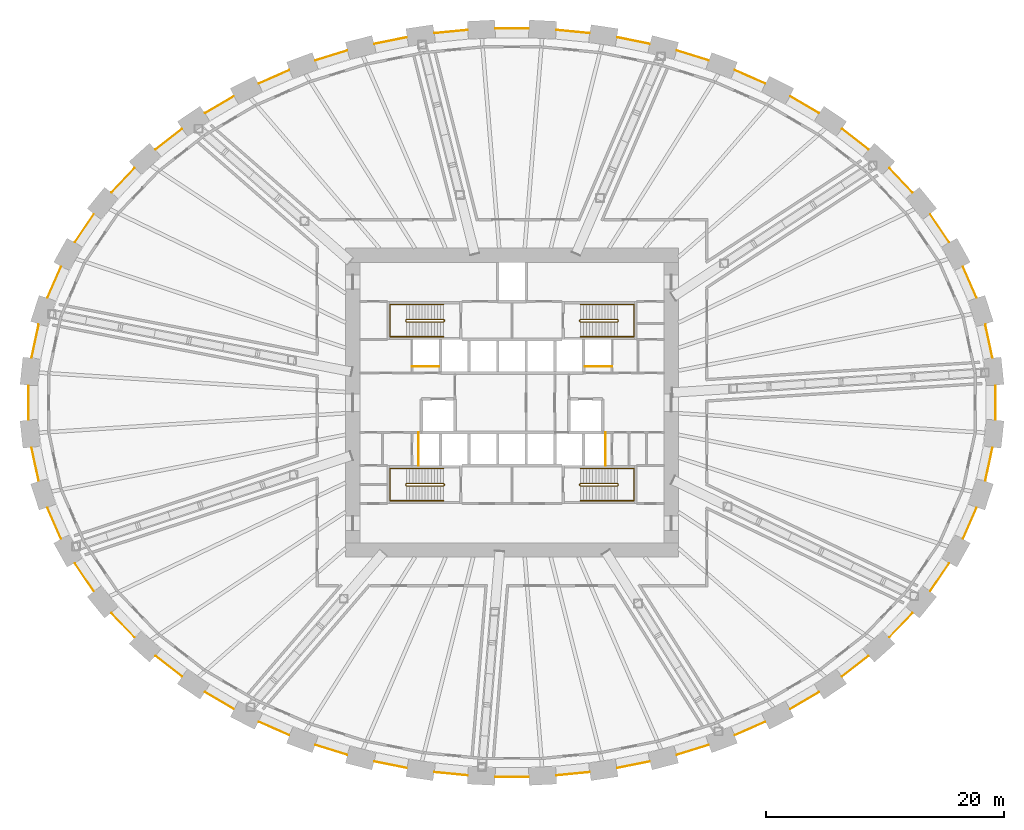
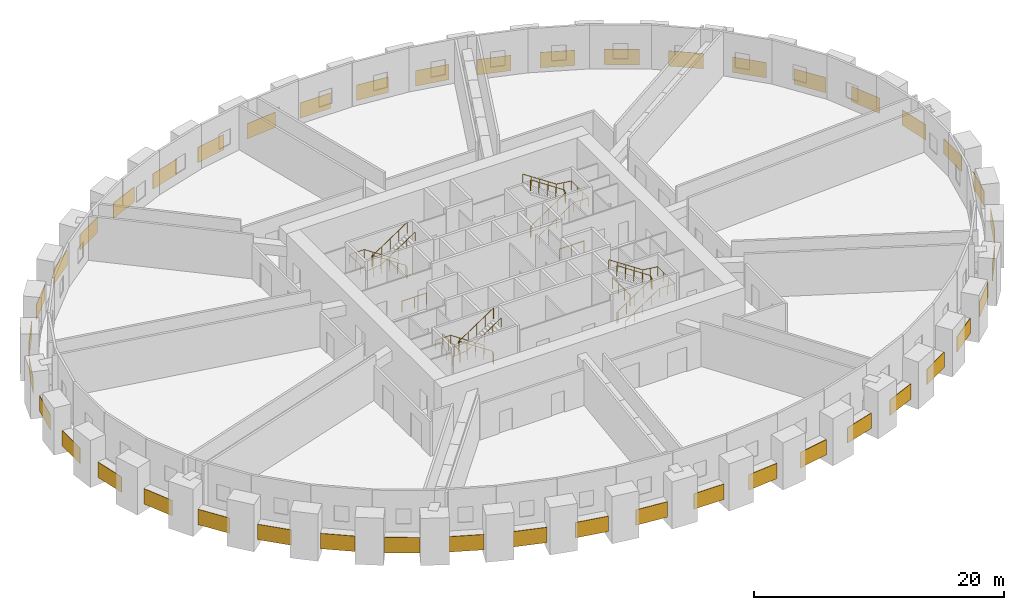
# One storey, part 14 of 14: 44 coverings, 12 railings.
"""IFC4 building model written with IfcOpenShell, lengths in metres."""

from ifc_helpers import new_model, si_unit, direction, frame, origin, origin_2d, place, context, subcontext, project, spatial, rectangle, circle, extrude, source, transform, mapped, material, layer, layer_set, type_object, element, save


model = new_model("IFC4")

# Units and contexts
model_context = context("Model", 3, precision=1e-05, world=origin(), true_north=direction((0.0, 1.0)))
body_context = subcontext(model_context, "Body", "Model", "MODEL_VIEW")
ifc_project = project(units=[si_unit("LENGTHUNIT", "METRE"), si_unit("AREAUNIT", "SQUARE_METRE"), si_unit("VOLUMEUNIT", "CUBIC_METRE"), si_unit("PLANEANGLEUNIT", "RADIAN"), si_unit("MASSUNIT", "GRAM", prefix="KILO")], contexts=[model_context])

# Site, building, storey
site_placement = place(None, origin())
site = spatial("IfcSite", under=ifc_project, at=site_placement, CompositionType="ELEMENT")
building_placement = place(site_placement, origin())
building = spatial("IfcBuilding", under=site, at=building_placement, Name="Embergate Tower", CompositionType="ELEMENT")
storey_placement = place(building_placement, frame((0.0, 0.0, 101.0)))
storey = spatial("IfcBuildingStorey", under=building, at=storey_placement, Name="L21", CompositionType="ELEMENT", Elevation=101.0)

# Coverings
ifc_material_1 = material(Name="Terracotta rainscreen on insulated backing", Category="masonry")
ifc_layer = layer(ifc_material_1, 0.0400390625)
ifc_layer_set = layer_set([ifc_layer], Name="Terracotta rainscreen on insulated backing")
covering_type = type_object("IfcCoveringType", Name="Terracotta rainscreen band", PredefinedType="CLADDING", material=ifc_layer_set)
shared_shape_1 = source(origin(), body_context, "Body", "SweptSolid", [
    extrude(rectangle(XDim=2.845703125, YDim=0.0400390625, at=origin_2d()), origin(), (0.0, 0.0, 1.0), 1.5),
])
for number, where, z_axis, x_axis, name in (
    (1, (40.11962890625, 5.18505859375, -0.75), (0.0, 0.0, 1.0), (-0.210488822127, 0.977596264191, 0.0), "Rainscreen band 1"),
    (2, (-40.11962890625, 5.18505859375, -0.75), (0.0, 0.0, 1.0), (-0.210488822127, -0.977596264191, 0.0), "Rainscreen band 21"),
    (3, (-40.11962890625, -5.18505859375, -0.75), (0.0, 0.0, 1.0), (0.210488822127, -0.977596264191, 0.0), "Rainscreen band 23"),
    (4, (40.11962890625, -5.18505859375, -0.75), (0.0, 0.0, 1.0), (0.210488822127, 0.977596264191, 0.0), "Rainscreen band 43"),
):
    element("IfcCovering", number, at=place(storey_placement, frame(where, z_axis=z_axis, x_axis=x_axis)), inside=storey, type_object=covering_type, Name=name, PredefinedType="CLADDING", context=body_context, shape_type="MappedRepresentation", body=[
        mapped(shared_shape_1, transform((0.0, 0.0, 0.0))),
    ])
shared_shape_2 = source(origin(), body_context, "Body", "SweptSolid", [
    extrude(rectangle(XDim=2.84130859375, YDim=0.0400390625, at=origin_2d()), origin(), (0.0, 0.0, 1.0), 1.5),
])
for number, where, z_axis, x_axis, name in (
    (5, (38.518310546875, 10.140625, -0.75), (0.0, 0.0, 1.0), (-0.401594559435, 0.915817563618, 0.0), "Rainscreen band 2"),
    (6, (-38.518310546875, 10.140625, -0.75), (0.0, 0.0, 1.0), (-0.401594559435, -0.915817563618, 0.0), "Rainscreen band 20"),
    (7, (-38.518310546875, -10.140625, -0.75), (0.0, 0.0, 1.0), (0.401594559435, -0.915817563618, 0.0), "Rainscreen band 24"),
    (8, (38.518310546875, -10.140625, -0.75), (0.0, 0.0, 1.0), (0.401594559435, 0.915817563618, 0.0), "Rainscreen band 42"),
):
    element("IfcCovering", number, at=place(storey_placement, frame(where, z_axis=z_axis, x_axis=x_axis)), inside=storey, type_object=covering_type, Name=name, PredefinedType="CLADDING", context=body_context, shape_type="MappedRepresentation", body=[
        mapped(shared_shape_2, transform((0.0, 0.0, 0.0))),
    ])
shared_shape_3 = source(origin(), body_context, "Body", "SweptSolid", [
    extrude(rectangle(XDim=2.831787109375, YDim=0.0400390625, at=origin_2d()), origin(), (0.0, 0.0, 1.0), 1.5),
])
for number, where, z_axis, x_axis, name in (
    (9, (35.985595703125, 14.67919921875, -0.75), (0.0, 0.0, 1.0), (-0.562174316713, 0.82701876498, 0.0), "Rainscreen band 3"),
    (10, (-35.985595703125, 14.67919921875, -0.75), (0.0, 0.0, 1.0), (-0.562174316713, -0.82701876498, 0.0), "Rainscreen band 19"),
    (11, (-35.985595703125, -14.67919921875, -0.75), (0.0, 0.0, 1.0), (0.562174316713, -0.82701876498, 0.0), "Rainscreen band 25"),
    (12, (35.985595703125, -14.67919921875, -0.75), (0.0, 0.0, 1.0), (0.562174316713, 0.82701876498, 0.0), "Rainscreen band 41"),
):
    element("IfcCovering", number, at=place(storey_placement, frame(where, z_axis=z_axis, x_axis=x_axis)), inside=storey, type_object=covering_type, Name=name, PredefinedType="CLADDING", context=body_context, shape_type="MappedRepresentation", body=[
        mapped(shared_shape_3, transform((0.0, 0.0, 0.0))),
    ])
shared_shape_4 = source(origin(), body_context, "Body", "SweptSolid", [
    extrude(rectangle(XDim=2.826416015625, YDim=0.0400390625, at=origin_2d()), origin(), (0.0, 0.0, 1.0), 1.5),
])
for number, where, z_axis, x_axis, name in (
    (13, (32.728271484375, 18.712158203125, -0.75), (0.0, 0.0, 1.0), (-0.690281548449, 0.723540865377, 0.0), "Rainscreen band 4"),
    (14, (-32.728271484375, 18.712158203125, -0.75), (0.0, 0.0, 1.0), (-0.690281548449, -0.723540865377, 0.0), "Rainscreen band 18"),
    (15, (-32.728271484375, -18.712158203125, -0.75), (0.0, 0.0, 1.0), (0.690281548449, -0.723540865377, 0.0), "Rainscreen band 26"),
    (16, (32.728271484375, -18.712158203125, -0.75), (0.0, 0.0, 1.0), (0.690281548449, 0.723540865377, 0.0), "Rainscreen band 40"),
):
    element("IfcCovering", number, at=place(storey_placement, frame(where, z_axis=z_axis, x_axis=x_axis)), inside=storey, type_object=covering_type, Name=name, PredefinedType="CLADDING", context=body_context, shape_type="MappedRepresentation", body=[
        mapped(shared_shape_4, transform((0.0, 0.0, 0.0))),
    ])
shared_shape_5 = source(origin(), body_context, "Body", "SweptSolid", [
    extrude(rectangle(XDim=2.817138671875, YDim=0.0400390625, at=origin_2d()), origin(), (0.0, 0.0, 1.0), 1.5),
])
for number, where, z_axis, x_axis, name in (
    (17, (28.881591796875, 22.1689453125, -0.75), (0.0, 0.0, 1.0), (-0.788395282208, 0.615168984095, 0.0), "Rainscreen band 5"),
    (18, (-28.881591796875, 22.1689453125, -0.75), (0.0, 0.0, 1.0), (-0.788395282208, -0.615168984095, 0.0), "Rainscreen band 17"),
    (19, (-28.881591796875, -22.1689453125, -0.75), (0.0, 0.0, 1.0), (0.788395282208, -0.615168984095, 0.0), "Rainscreen band 27"),
    (20, (28.881591796875, -22.1689453125, -0.75), (0.0, 0.0, 1.0), (0.788395282208, 0.615168984095, 0.0), "Rainscreen band 39"),
):
    element("IfcCovering", number, at=place(storey_placement, frame(where, z_axis=z_axis, x_axis=x_axis)), inside=storey, type_object=covering_type, Name=name, PredefinedType="CLADDING", context=body_context, shape_type="MappedRepresentation", body=[
        mapped(shared_shape_5, transform((0.0, 0.0, 0.0))),
    ])
shared_shape_6 = source(origin(), body_context, "Body", "SweptSolid", [
    extrude(rectangle(XDim=2.813232421875, YDim=0.0400390625, at=origin_2d()), origin(), (0.0, 0.0, 1.0), 1.5),
])
for number, where, z_axis, x_axis, name in (
    (21, (24.61376953125, 25.070556640625, -0.75), (0.0, 0.0, 1.0), (-0.862007166932, 0.506896088126, 0.0), "Rainscreen band 6"),
    (22, (-24.61376953125, 25.070556640625, -0.75), (0.0, 0.0, 1.0), (-0.862007166932, -0.506896088126, 0.0), "Rainscreen band 16"),
    (23, (-24.61376953125, -25.070556640625, -0.75), (0.0, 0.0, 1.0), (0.862007166932, -0.506896088126, 0.0), "Rainscreen band 28"),
    (24, (24.61376953125, -25.070556640625, -0.75), (0.0, 0.0, 1.0), (0.862007166932, 0.506896088126, 0.0), "Rainscreen band 38"),
):
    element("IfcCovering", number, at=place(storey_placement, frame(where, z_axis=z_axis, x_axis=x_axis)), inside=storey, type_object=covering_type, Name=name, PredefinedType="CLADDING", context=body_context, shape_type="MappedRepresentation", body=[
        mapped(shared_shape_6, transform((0.0, 0.0, 0.0))),
    ])
shared_shape_7 = source(origin(), body_context, "Body", "SweptSolid", [
    extrude(rectangle(XDim=2.809814453125, YDim=0.0400390625, at=origin_2d()), origin(), (0.0, 0.0, 1.0), 1.5),
])
for number, where, z_axis, x_axis, name in (
    (25, (20.0234375, 27.413330078125, -0.75), (0.0, 0.0, 1.0), (-0.916043113524, 0.401079810218, 0.0), "Rainscreen band 7"),
    (26, (-20.0234375, 27.413330078125, -0.75), (0.0, 0.0, 1.0), (-0.916043113524, -0.401079810218, 0.0), "Rainscreen band 15"),
    (27, (-20.0234375, -27.413330078125, -0.75), (0.0, 0.0, 1.0), (0.916043113524, -0.401079810218, 0.0), "Rainscreen band 29"),
    (28, (20.0234375, -27.413330078125, -0.75), (0.0, 0.0, 1.0), (0.916043113524, 0.401079810218, 0.0), "Rainscreen band 37"),
):
    element("IfcCovering", number, at=place(storey_placement, frame(where, z_axis=z_axis, x_axis=x_axis)), inside=storey, type_object=covering_type, Name=name, PredefinedType="CLADDING", context=body_context, shape_type="MappedRepresentation", body=[
        mapped(shared_shape_7, transform((0.0, 0.0, 0.0))),
    ])
shared_shape_8 = source(origin(), body_context, "Body", "SweptSolid", [
    extrude(rectangle(XDim=2.806884765625, YDim=0.0400390625, at=origin_2d()), origin(), (0.0, 0.0, 1.0), 1.5),
])
for number, where, z_axis, x_axis, name in (
    (29, (15.200439453125, 29.212158203125, -0.75), (0.0, 0.0, 1.0), (-0.954834470603, 0.29713824013, 0.0), "Rainscreen band 8"),
    (30, (-15.200439453125, 29.212158203125, -0.75), (0.0, 0.0, 1.0), (-0.954834470603, -0.29713824013, 0.0), "Rainscreen band 14"),
    (31, (-15.200439453125, -29.212158203125, -0.75), (0.0, 0.0, 1.0), (0.954834470603, -0.29713824013, 0.0), "Rainscreen band 30"),
    (32, (15.200439453125, -29.212158203125, -0.75), (0.0, 0.0, 1.0), (0.954834470603, 0.29713824013, 0.0), "Rainscreen band 36"),
):
    element("IfcCovering", number, at=place(storey_placement, frame(where, z_axis=z_axis, x_axis=x_axis)), inside=storey, type_object=covering_type, Name=name, PredefinedType="CLADDING", context=body_context, shape_type="MappedRepresentation", body=[
        mapped(shared_shape_8, transform((0.0, 0.0, 0.0))),
    ])
shared_shape_9 = source(origin(), body_context, "Body", "SweptSolid", [
    extrude(rectangle(XDim=2.802734375, YDim=0.0400390625, at=origin_2d()), origin(), (0.0, 0.0, 1.0), 1.5),
])
for number, where, z_axis, x_axis, name in (
    (33, (10.213623046875, 30.46484375, -0.75), (0.0, 0.0, 1.0), (-0.980484486482, 0.19659646937, 0.0), "Rainscreen band 9"),
    (34, (-10.213623046875, 30.46484375, -0.75), (0.0, 0.0, 1.0), (-0.980484486482, -0.19659646937, 0.0), "Rainscreen band 13"),
    (35, (-10.213623046875, -30.46484375, -0.75), (0.0, 0.0, 1.0), (0.980484486482, -0.19659646937, 0.0), "Rainscreen band 31"),
    (36, (10.213623046875, -30.46484375, -0.75), (0.0, 0.0, 1.0), (0.980484486482, 0.19659646937, 0.0), "Rainscreen band 35"),
):
    element("IfcCovering", number, at=place(storey_placement, frame(where, z_axis=z_axis, x_axis=x_axis)), inside=storey, type_object=covering_type, Name=name, PredefinedType="CLADDING", context=body_context, shape_type="MappedRepresentation", body=[
        mapped(shared_shape_9, transform((0.0, 0.0, 0.0))),
    ])
shared_shape_10 = source(origin(), body_context, "Body", "SweptSolid", [
    extrude(rectangle(XDim=2.801513671875, YDim=0.0400390625, at=origin_2d()), origin(), (0.0, 0.0, 1.0), 1.5),
])
for number, where, z_axis, x_axis, name in (
    (37, (5.131591796875, 31.22216796875, -0.75), (0.0, 0.0, 1.0), (-0.995205404214, 0.097806970219, 0.0), "Rainscreen band 10"),
    (38, (-5.131591796875, 31.22216796875, -0.75), (0.0, 0.0, 1.0), (-0.995205404214, -0.097806970219, 0.0), "Rainscreen band 12"),
    (39, (-5.131591796875, -31.22216796875, -0.75), (0.0, 0.0, 1.0), (0.995205404214, -0.097806970219, 0.0), "Rainscreen band 32"),
    (40, (5.131591796875, -31.22216796875, -0.75), (0.0, 0.0, 1.0), (0.995205404214, 0.097806970219, 0.0), "Rainscreen band 34"),
):
    element("IfcCovering", number, at=place(storey_placement, frame(where, z_axis=z_axis, x_axis=x_axis)), inside=storey, type_object=covering_type, Name=name, PredefinedType="CLADDING", context=body_context, shape_type="MappedRepresentation", body=[
        mapped(shared_shape_10, transform((0.0, 0.0, 0.0))),
    ])
shared_shape_11 = source(origin(), body_context, "Body", "SweptSolid", [
    extrude(rectangle(XDim=2.802001953125, YDim=0.0400390625, at=origin_2d()), origin(), (0.0, 0.0, 1.0), 1.5),
])
for number, where, z_axis, x_axis, name in (
    (41, (0.0, 31.47412109375, -0.75), (0.0, 0.0, 1.0), (-1.0, 0.0, 0.0), "Rainscreen band 11"),
    (42, (0.0, -31.47412109375, -0.75), (0.0, 0.0, 1.0), (1.0, 0.0, 0.0), "Rainscreen band 33"),
):
    element("IfcCovering", number, at=place(storey_placement, frame(where, z_axis=z_axis, x_axis=x_axis)), inside=storey, type_object=covering_type, Name=name, PredefinedType="CLADDING", context=body_context, shape_type="MappedRepresentation", body=[
        mapped(shared_shape_11, transform((0.0, 0.0, 0.0))),
    ])
shared_shape_12 = source(origin(), body_context, "Body", "SweptSolid", [
    extrude(rectangle(XDim=2.85205078125, YDim=0.0400390625, at=origin_2d()), origin(), (0.0, 0.0, 1.0), 1.5),
])
for number, where, z_axis, x_axis, name in (
    (43, (-40.69091796875, 0.0, -0.75), (0.0, 0.0, 1.0), (0.0, -1.0, 0.0), "Rainscreen band 22"),
    (44, (40.69091796875, 0.0, -0.75), (0.0, 0.0, 1.0), (0.0, 1.0, 0.0), "Rainscreen band 44"),
):
    element("IfcCovering", number, at=place(storey_placement, frame(where, z_axis=z_axis, x_axis=x_axis)), inside=storey, type_object=covering_type, Name=name, PredefinedType="CLADDING", context=body_context, shape_type="MappedRepresentation", body=[
        mapped(shared_shape_12, transform((0.0, 0.0, 0.0))),
    ])

# Railings
ifc_material_2 = material(Name="Stair guard 1100")
railing_type_1 = type_object("IfcRailingType", Name="Stair guard 1100", PredefinedType="GUARDRAIL", material=ifc_material_2)
shared_shape_13 = source(origin(), body_context, "Body", "SweptSolid", [
    extrude(circle(Radius=0.02392578125, at=origin_2d()), frame((0.0, 0.0, 1.076171875), z_axis=(0.0, 1.0, 0.0), x_axis=(-1.0, 0.0, 0.0)), (0.0, 0.0, 1.0), 0.099853515625),
    extrude(circle(Radius=0.02392578125, at=origin_2d()), frame((0.0, 0.099853515625, 1.076171875), z_axis=(-0.267629722418, 0.267629722418, 0.925607186314), x_axis=(-0.707106781187, -0.707106781187, 0.0)), (0.0, 0.0, 1.0), 0.18701171875),
    extrude(circle(Radius=0.02392578125, at=origin_2d()), frame((-0.050048828125, 0.14990234375, 1.2490234375), z_axis=(-0.83244090515, 0.0, 0.554113832559), x_axis=(0.0, -1.0, 0.0)), (0.0, 0.0, 1.0), 3.748046875),
    extrude(circle(Radius=0.02392578125, at=origin_2d()), frame((-3.170166015625, 0.14990234375, 3.326171875), z_axis=(-0.705375805398, -0.708833529934, 0.0), x_axis=(0.708833529934, -0.705375805398, 0.0)), (0.0, 0.0, 1.0), 0.070556640625),
    extrude(circle(Radius=0.02392578125, at=origin_2d()), frame((-3.219970703125, 0.099853515625, 3.326171875), z_axis=(0.0, -1.0, 0.0), x_axis=(1.0, 0.0, 0.0)), (0.0, 0.0, 1.0), 0.099853515625),
    extrude(circle(Radius=0.02392578125, at=origin_2d()), frame((-3.219970703125, 0.0, 3.326171875), z_axis=(0.266417085129, -0.267723051232, 0.925929967433), x_axis=(0.708833529934, 0.705375805398, 0.0)), (0.0, 0.0, 1.0), 0.18701171875),
    extrude(circle(Radius=0.02392578125, at=origin_2d()), frame((-3.170166015625, -0.050048828125, 3.4990234375), z_axis=(0.83244090515, 0.0, 0.554113832559), x_axis=(0.0, 1.0, 0.0)), (0.0, 0.0, 1.0), 3.748046875),
    extrude(circle(Radius=0.02099609375, at=origin_2d()), origin(), (0.0, 0.0, 1.0), 1.052001953125),
    extrude(circle(Radius=0.02099609375, at=origin_2d()), frame((0.0, 0.099853515625, 0.0)), (0.0, 0.0, 1.0), 1.052001953125),
    extrude(circle(Radius=0.02099609375, at=origin_2d()), frame((-0.050048828125, 0.14990234375, 0.173095703125)), (0.0, 0.0, 1.0), 1.052001953125),
    extrude(circle(Radius=0.02099609375, at=origin_2d()), frame((-0.830078125, 0.14990234375, 0.6923828125)), (0.0, 0.0, 1.0), 1.052001953125),
    extrude(circle(Radius=0.02099609375, at=origin_2d()), frame((-1.610107421875, 0.14990234375, 1.21142578125)), (0.0, 0.0, 1.0), 1.052001953125),
    extrude(circle(Radius=0.02099609375, at=origin_2d()), frame((-2.39013671875, 0.14990234375, 1.730712890625)), (0.0, 0.0, 1.0), 1.052001953125),
    extrude(circle(Radius=0.02099609375, at=origin_2d()), frame((-3.170166015625, 0.14990234375, 2.25)), (0.0, 0.0, 1.0), 1.052001953125),
    extrude(circle(Radius=0.02099609375, at=origin_2d()), frame((-3.219970703125, 0.099853515625, 2.25)), (0.0, 0.0, 1.0), 1.052001953125),
    extrude(circle(Radius=0.02099609375, at=origin_2d()), frame((-3.219970703125, 0.0, 2.25)), (0.0, 0.0, 1.0), 1.052001953125),
    extrude(circle(Radius=0.02099609375, at=origin_2d()), frame((-3.170166015625, -0.050048828125, 2.423095703125)), (0.0, 0.0, 1.0), 1.052001953125),
    extrude(circle(Radius=0.02099609375, at=origin_2d()), frame((-2.39013671875, -0.050048828125, 2.9423828125)), (0.0, 0.0, 1.0), 1.052001953125),
    extrude(circle(Radius=0.02099609375, at=origin_2d()), frame((-1.610107421875, -0.050048828125, 3.46142578125)), (0.0, 0.0, 1.0), 1.052001953125),
    extrude(circle(Radius=0.02099609375, at=origin_2d()), frame((-0.830078125, -0.050048828125, 3.980712890625)), (0.0, 0.0, 1.0), 1.052001953125),
    extrude(circle(Radius=0.02099609375, at=origin_2d()), frame((-0.050048828125, -0.050048828125, 4.5)), (0.0, 0.0, 1.0), 1.052001953125),
])
for number, where, name in (
    (45, (-5.699951171875, 6.85009765625, 0.0), "L21 ST1 stair guard 1"),
    (46, (-5.699951171875, -6.949951171875, 0.0), "L21 ST3 stair guard 1"),
):
    element("IfcRailing", number, at=place(storey_placement, frame(where)), inside=storey, type_object=railing_type_1, Name=name, PredefinedType="GUARDRAIL", context=body_context, shape_type="MappedRepresentation", body=[
        mapped(shared_shape_13, transform((0.0, 0.0, 0.0))),
    ])
ifc_material_3 = material(Name="Stair handrail 900")
railing_type_2 = type_object("IfcRailingType", Name="Stair handrail 900", PredefinedType="HANDRAIL", material=ifc_material_3)
shared_shape_14 = source(origin(), body_context, "Body", "SweptSolid", [
    extrude(circle(Radius=0.02392578125, at=origin_2d()), frame((0.0, 0.0, 0.8759765625), z_axis=(-0.83244090515, 0.0, 0.554113832559), x_axis=(0.0, -1.0, 0.0)), (0.0, 0.0, 1.0), 3.748046875),
    extrude(circle(Radius=0.02392578125, at=origin_2d()), frame((-3.1201171875, 0.0, 2.95263671875), z_axis=(-1.0, 0.0, 0.0), x_axis=(0.0, -1.0, 0.0)), (0.0, 0.0, 1.0), 1.3798828125),
    extrude(circle(Radius=0.02392578125, at=origin_2d()), frame((-4.5, 0.0, 2.95263671875), z_axis=(0.0, -1.0, 0.0), x_axis=(1.0, 0.0, 0.0)), (0.0, 0.0, 1.0), 2.699951171875),
    extrude(circle(Radius=0.02392578125, at=origin_2d()), frame((-4.5, -2.699951171875, 2.95263671875), z_axis=(0.992223766409, 0.0, 0.12446685251), x_axis=(0.0, 1.0, 0.0)), (0.0, 0.0, 1.0), 1.390625),
    extrude(circle(Radius=0.02392578125, at=origin_2d()), frame((-3.1201171875, -2.699951171875, 3.1259765625), z_axis=(0.83244090515, 0.0, 0.554113832559), x_axis=(0.0, 1.0, 0.0)), (0.0, 0.0, 1.0), 3.748046875),
    extrude(circle(Radius=0.02099609375, at=origin_2d()), origin(), (0.0, 0.0, 1.0), 0.851806640625),
    extrude(circle(Radius=0.02099609375, at=origin_2d()), frame((-0.780029296875, 0.0, 0.519287109375)), (0.0, 0.0, 1.0), 0.851806640625),
    extrude(circle(Radius=0.02099609375, at=origin_2d()), frame((-1.56005859375, 0.0, 1.03857421875)), (0.0, 0.0, 1.0), 0.851806640625),
    extrude(circle(Radius=0.02099609375, at=origin_2d()), frame((-2.340087890625, 0.0, 1.5576171875)), (0.0, 0.0, 1.0), 0.851806640625),
    extrude(circle(Radius=0.02099609375, at=origin_2d()), frame((-3.1201171875, 0.0, 2.076904296875)), (0.0, 0.0, 1.0), 0.851806640625),
    extrude(circle(Radius=0.02099609375, at=origin_2d()), frame((-3.81005859375, 0.0, 2.076904296875)), (0.0, 0.0, 1.0), 0.851806640625),
    extrude(circle(Radius=0.02099609375, at=origin_2d()), frame((-4.5, 0.0, 2.076904296875)), (0.0, 0.0, 1.0), 0.851806640625),
    extrude(circle(Radius=0.02099609375, at=origin_2d()), frame((-4.5, -0.89990234375, 2.076904296875)), (0.0, 0.0, 1.0), 0.851806640625),
    extrude(circle(Radius=0.02099609375, at=origin_2d()), frame((-4.5, -1.800048828125, 2.076904296875)), (0.0, 0.0, 1.0), 0.851806640625),
    extrude(circle(Radius=0.02099609375, at=origin_2d()), frame((-4.5, -2.699951171875, 2.076904296875)), (0.0, 0.0, 1.0), 0.851806640625),
    extrude(circle(Radius=0.02099609375, at=origin_2d()), frame((-3.81005859375, -2.699951171875, 2.16357421875)), (0.0, 0.0, 1.0), 0.851806640625),
    extrude(circle(Radius=0.02099609375, at=origin_2d()), frame((-3.1201171875, -2.699951171875, 2.25)), (0.0, 0.0, 1.0), 0.851806640625),
    extrude(circle(Radius=0.02099609375, at=origin_2d()), frame((-2.340087890625, -2.699951171875, 2.769287109375)), (0.0, 0.0, 1.0), 0.851806640625),
    extrude(circle(Radius=0.02099609375, at=origin_2d()), frame((-1.56005859375, -2.699951171875, 3.28857421875)), (0.0, 0.0, 1.0), 0.851806640625),
    extrude(circle(Radius=0.02099609375, at=origin_2d()), frame((-0.780029296875, -2.699951171875, 3.8076171875)), (0.0, 0.0, 1.0), 0.851806640625),
    extrude(circle(Radius=0.02099609375, at=origin_2d()), frame((0.0, -2.699951171875, 4.326904296875)), (0.0, 0.0, 1.0), 0.851806640625),
])
for number, where, name in (
    (47, (-5.75, 8.25, 0.173095703125), "L21 ST1 stair handrail 1"),
    (48, (-5.75, -5.550048828125, 0.173095703125), "L21 ST3 stair handrail 1"),
):
    element("IfcRailing", number, at=place(storey_placement, frame(where)), inside=storey, type_object=railing_type_2, Name=name, PredefinedType="HANDRAIL", context=body_context, shape_type="MappedRepresentation", body=[
        mapped(shared_shape_14, transform((0.0, 0.0, 0.0))),
    ])
shared_shape_15 = source(origin(), body_context, "Body", "SweptSolid", [
    extrude(circle(Radius=0.02392578125, at=origin_2d()), frame((0.0, 0.0, 1.076171875), z_axis=(0.0, -1.0, 0.0), x_axis=(1.0, 0.0, 0.0)), (0.0, 0.0, 1.0), 0.099853515625),
    extrude(circle(Radius=0.02392578125, at=origin_2d()), frame((0.0, -0.099853515625, 1.076171875), z_axis=(0.267629722418, -0.267629722418, 0.925607186314), x_axis=(0.707106781187, 0.707106781187, 0.0)), (0.0, 0.0, 1.0), 0.18701171875),
    extrude(circle(Radius=0.02392578125, at=origin_2d()), frame((0.050048828125, -0.14990234375, 1.2490234375), z_axis=(0.83244090515, 0.0, 0.554113832559), x_axis=(0.0, 1.0, 0.0)), (0.0, 0.0, 1.0), 3.748046875),
    extrude(circle(Radius=0.02392578125, at=origin_2d()), frame((3.170166015625, -0.14990234375, 3.326171875), z_axis=(0.705375805398, 0.708833529934, 0.0), x_axis=(-0.708833529934, 0.705375805398, 0.0)), (0.0, 0.0, 1.0), 0.070556640625),
    extrude(circle(Radius=0.02392578125, at=origin_2d()), frame((3.219970703125, -0.099853515625, 3.326171875), z_axis=(0.0, 1.0, 0.0), x_axis=(-1.0, 0.0, 0.0)), (0.0, 0.0, 1.0), 0.099853515625),
    extrude(circle(Radius=0.02392578125, at=origin_2d()), frame((3.219970703125, 0.0, 3.326171875), z_axis=(-0.266417085129, 0.267723051232, 0.925929967433), x_axis=(-0.708833529934, -0.705375805398, 0.0)), (0.0, 0.0, 1.0), 0.18701171875),
    extrude(circle(Radius=0.02392578125, at=origin_2d()), frame((3.170166015625, 0.050048828125, 3.4990234375), z_axis=(-0.83244090515, 0.0, 0.554113832559), x_axis=(0.0, -1.0, 0.0)), (0.0, 0.0, 1.0), 3.748046875),
    extrude(circle(Radius=0.02099609375, at=origin_2d()), origin(), (0.0, 0.0, 1.0), 1.052001953125),
    extrude(circle(Radius=0.02099609375, at=origin_2d()), frame((0.0, -0.099853515625, 0.0)), (0.0, 0.0, 1.0), 1.052001953125),
    extrude(circle(Radius=0.02099609375, at=origin_2d()), frame((0.050048828125, -0.14990234375, 0.173095703125)), (0.0, 0.0, 1.0), 1.052001953125),
    extrude(circle(Radius=0.02099609375, at=origin_2d()), frame((0.830078125, -0.14990234375, 0.6923828125)), (0.0, 0.0, 1.0), 1.052001953125),
    extrude(circle(Radius=0.02099609375, at=origin_2d()), frame((1.610107421875, -0.14990234375, 1.21142578125)), (0.0, 0.0, 1.0), 1.052001953125),
    extrude(circle(Radius=0.02099609375, at=origin_2d()), frame((2.39013671875, -0.14990234375, 1.730712890625)), (0.0, 0.0, 1.0), 1.052001953125),
    extrude(circle(Radius=0.02099609375, at=origin_2d()), frame((3.170166015625, -0.14990234375, 2.25)), (0.0, 0.0, 1.0), 1.052001953125),
    extrude(circle(Radius=0.02099609375, at=origin_2d()), frame((3.219970703125, -0.099853515625, 2.25)), (0.0, 0.0, 1.0), 1.052001953125),
    extrude(circle(Radius=0.02099609375, at=origin_2d()), frame((3.219970703125, 0.0, 2.25)), (0.0, 0.0, 1.0), 1.052001953125),
    extrude(circle(Radius=0.02099609375, at=origin_2d()), frame((3.170166015625, 0.050048828125, 2.423095703125)), (0.0, 0.0, 1.0), 1.052001953125),
    extrude(circle(Radius=0.02099609375, at=origin_2d()), frame((2.39013671875, 0.050048828125, 2.9423828125)), (0.0, 0.0, 1.0), 1.052001953125),
    extrude(circle(Radius=0.02099609375, at=origin_2d()), frame((1.610107421875, 0.050048828125, 3.46142578125)), (0.0, 0.0, 1.0), 1.052001953125),
    extrude(circle(Radius=0.02099609375, at=origin_2d()), frame((0.830078125, 0.050048828125, 3.980712890625)), (0.0, 0.0, 1.0), 1.052001953125),
    extrude(circle(Radius=0.02099609375, at=origin_2d()), frame((0.050048828125, 0.050048828125, 4.5)), (0.0, 0.0, 1.0), 1.052001953125),
])
for number, where, name in (
    (49, (5.699951171875, 6.949951171875, 0.0), "L21 ST2 stair guard 1"),
    (50, (5.699951171875, -6.85009765625, 0.0), "L21 ST4 stair guard 1"),
):
    element("IfcRailing", number, at=place(storey_placement, frame(where)), inside=storey, type_object=railing_type_1, Name=name, PredefinedType="GUARDRAIL", context=body_context, shape_type="MappedRepresentation", body=[
        mapped(shared_shape_15, transform((0.0, 0.0, 0.0))),
    ])
shared_shape_16 = source(origin(), body_context, "Body", "SweptSolid", [
    extrude(circle(Radius=0.02392578125, at=origin_2d()), frame((0.0, 0.0, 0.8759765625), z_axis=(0.83244090515, 0.0, 0.554113832559), x_axis=(0.0, 1.0, 0.0)), (0.0, 0.0, 1.0), 3.748046875),
    extrude(circle(Radius=0.02392578125, at=origin_2d()), frame((3.1201171875, 0.0, 2.95263671875), z_axis=(1.0, 0.0, 0.0), x_axis=(0.0, 1.0, 0.0)), (0.0, 0.0, 1.0), 1.3798828125),
    extrude(circle(Radius=0.02392578125, at=origin_2d()), frame((4.5, 0.0, 2.95263671875), z_axis=(0.0, 1.0, 0.0), x_axis=(-1.0, 0.0, 0.0)), (0.0, 0.0, 1.0), 2.699951171875),
    extrude(circle(Radius=0.02392578125, at=origin_2d()), frame((4.5, 2.699951171875, 2.95263671875), z_axis=(-0.992223766409, 0.0, 0.12446685251), x_axis=(0.0, -1.0, 0.0)), (0.0, 0.0, 1.0), 1.390625),
    extrude(circle(Radius=0.02392578125, at=origin_2d()), frame((3.1201171875, 2.699951171875, 3.1259765625), z_axis=(-0.83244090515, 0.0, 0.554113832559), x_axis=(0.0, -1.0, 0.0)), (0.0, 0.0, 1.0), 3.748046875),
    extrude(circle(Radius=0.02099609375, at=origin_2d()), origin(), (0.0, 0.0, 1.0), 0.851806640625),
    extrude(circle(Radius=0.02099609375, at=origin_2d()), frame((0.780029296875, 0.0, 0.519287109375)), (0.0, 0.0, 1.0), 0.851806640625),
    extrude(circle(Radius=0.02099609375, at=origin_2d()), frame((1.56005859375, 0.0, 1.03857421875)), (0.0, 0.0, 1.0), 0.851806640625),
    extrude(circle(Radius=0.02099609375, at=origin_2d()), frame((2.340087890625, 0.0, 1.5576171875)), (0.0, 0.0, 1.0), 0.851806640625),
    extrude(circle(Radius=0.02099609375, at=origin_2d()), frame((3.1201171875, 0.0, 2.076904296875)), (0.0, 0.0, 1.0), 0.851806640625),
    extrude(circle(Radius=0.02099609375, at=origin_2d()), frame((3.81005859375, 0.0, 2.076904296875)), (0.0, 0.0, 1.0), 0.851806640625),
    extrude(circle(Radius=0.02099609375, at=origin_2d()), frame((4.5, 0.0, 2.076904296875)), (0.0, 0.0, 1.0), 0.851806640625),
    extrude(circle(Radius=0.02099609375, at=origin_2d()), frame((4.5, 0.89990234375, 2.076904296875)), (0.0, 0.0, 1.0), 0.851806640625),
    extrude(circle(Radius=0.02099609375, at=origin_2d()), frame((4.5, 1.800048828125, 2.076904296875)), (0.0, 0.0, 1.0), 0.851806640625),
    extrude(circle(Radius=0.02099609375, at=origin_2d()), frame((4.5, 2.699951171875, 2.076904296875)), (0.0, 0.0, 1.0), 0.851806640625),
    extrude(circle(Radius=0.02099609375, at=origin_2d()), frame((3.81005859375, 2.699951171875, 2.16357421875)), (0.0, 0.0, 1.0), 0.851806640625),
    extrude(circle(Radius=0.02099609375, at=origin_2d()), frame((3.1201171875, 2.699951171875, 2.25)), (0.0, 0.0, 1.0), 0.851806640625),
    extrude(circle(Radius=0.02099609375, at=origin_2d()), frame((2.340087890625, 2.699951171875, 2.769287109375)), (0.0, 0.0, 1.0), 0.851806640625),
    extrude(circle(Radius=0.02099609375, at=origin_2d()), frame((1.56005859375, 2.699951171875, 3.28857421875)), (0.0, 0.0, 1.0), 0.851806640625),
    extrude(circle(Radius=0.02099609375, at=origin_2d()), frame((0.780029296875, 2.699951171875, 3.8076171875)), (0.0, 0.0, 1.0), 0.851806640625),
    extrude(circle(Radius=0.02099609375, at=origin_2d()), frame((0.0, 2.699951171875, 4.326904296875)), (0.0, 0.0, 1.0), 0.851806640625),
])
for number, where, name in (
    (51, (5.75, 5.550048828125, 0.173095703125), "L21 ST2 stair handrail 1"),
    (52, (5.75, -8.25, 0.173095703125), "L21 ST4 stair handrail 1"),
):
    element("IfcRailing", number, at=place(storey_placement, frame(where)), inside=storey, type_object=railing_type_2, Name=name, PredefinedType="HANDRAIL", context=body_context, shape_type="MappedRepresentation", body=[
        mapped(shared_shape_16, transform((0.0, 0.0, 0.0))),
    ])
ifc_material_4 = material(Name="Opening guard 1100")
railing_type_3 = type_object("IfcRailingType", Name="Opening guard 1100", PredefinedType="GUARDRAIL", material=ifc_material_4)
shared_shape_17 = source(origin(), body_context, "Body", "SweptSolid", [
    extrude(circle(Radius=0.02392578125, at=origin_2d()), frame((0.0, 0.0, 1.076171875), z_axis=(1.0, 0.0, 0.0), x_axis=(0.0, 1.0, 0.0)), (0.0, 0.0, 1.0), 2.27490234375),
    extrude(circle(Radius=0.02099609375, at=origin_2d()), origin(), (0.0, 0.0, 1.0), 1.052001953125),
    extrude(circle(Radius=0.02099609375, at=origin_2d()), frame((1.137451171875, 0.0, 0.0)), (0.0, 0.0, 1.0), 1.052001953125),
    extrude(circle(Radius=0.02099609375, at=origin_2d()), frame((2.27490234375, 0.0, 0.0)), (0.0, 0.0, 1.0), 1.052001953125),
])
for number, where, name in (
    (53, (-8.39990234375, 3.050048828125, 0.0), "Riser opening guard"),
    (54, (6.125, 3.050048828125, 0.0), "Riser opening guard"),
):
    element("IfcRailing", number, at=place(storey_placement, frame(where)), inside=storey, type_object=railing_type_3, Name=name, PredefinedType="GUARDRAIL", context=body_context, shape_type="MappedRepresentation", body=[
        mapped(shared_shape_17, transform((0.0, 0.0, 0.0))),
    ])
shared_shape_18 = source(origin(), body_context, "Body", "SweptSolid", [
    extrude(circle(Radius=0.02392578125, at=origin_2d()), frame((0.0, 0.0, 1.076171875), z_axis=(0.0, 1.0, 0.0), x_axis=(-1.0, 0.0, 0.0)), (0.0, 0.0, 1.0), 2.800048828125),
    extrude(circle(Radius=0.02099609375, at=origin_2d()), origin(), (0.0, 0.0, 1.0), 1.052001953125),
    extrude(circle(Radius=0.02099609375, at=origin_2d()), frame((0.0, 0.933349609375, 0.0)), (0.0, 0.0, 1.0), 1.052001953125),
    extrude(circle(Radius=0.02099609375, at=origin_2d()), frame((0.0, 1.86669921875, 0.0)), (0.0, 0.0, 1.0), 1.052001953125),
    extrude(circle(Radius=0.02099609375, at=origin_2d()), frame((0.0, 2.800048828125, 0.0)), (0.0, 0.0, 1.0), 1.052001953125),
])
for number, where, name in (
    (55, (-7.85009765625, -5.300048828125, 0.0), "Riser opening guard"),
    (56, (7.85009765625, -5.300048828125, 0.0), "Riser opening guard"),
):
    element("IfcRailing", number, at=place(storey_placement, frame(where)), inside=storey, type_object=railing_type_3, Name=name, PredefinedType="GUARDRAIL", context=body_context, shape_type="MappedRepresentation", body=[
        mapped(shared_shape_18, transform((0.0, 0.0, 0.0))),
    ])

save(model, "model.ifc")
